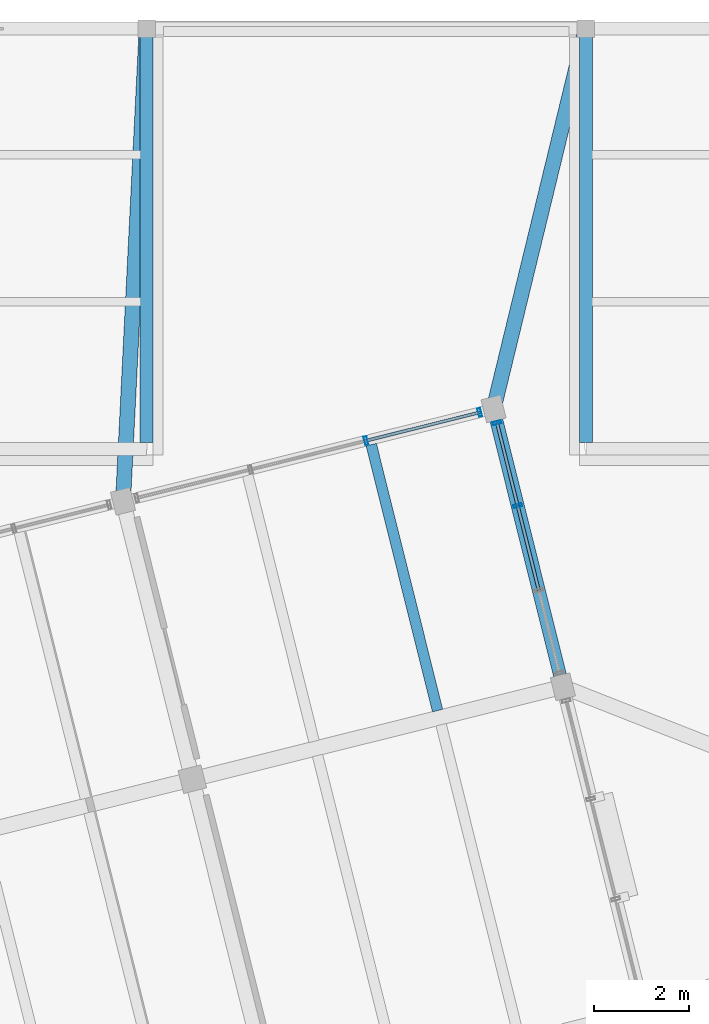
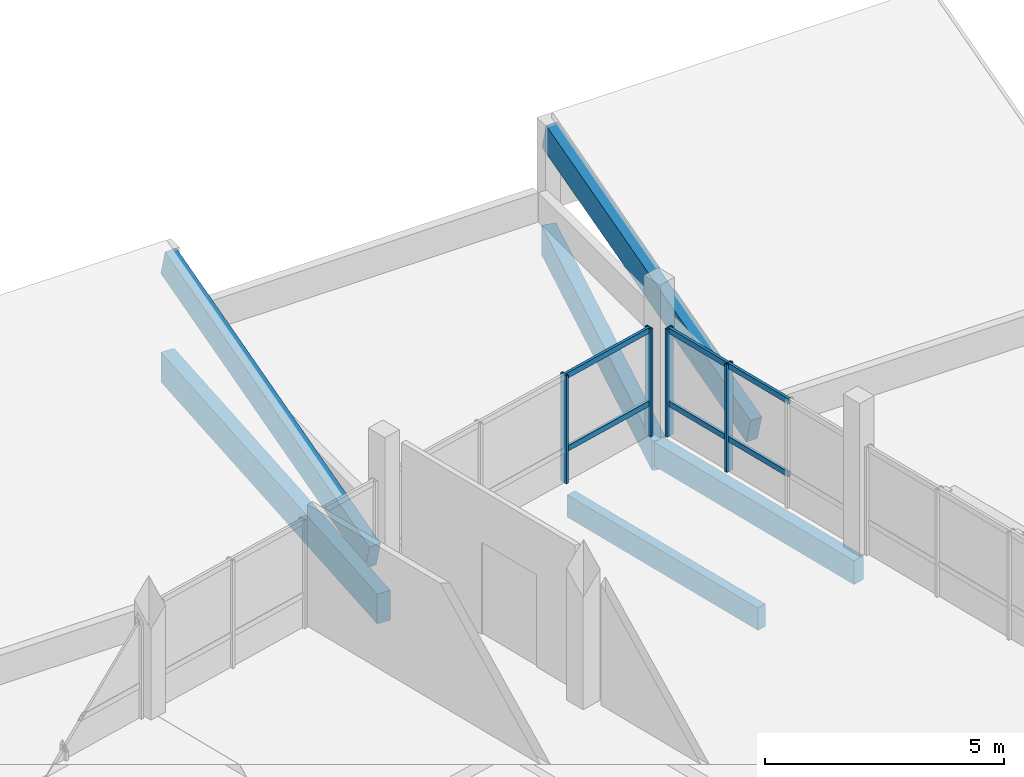
# One storey, part 30 of 37: 10 members, 6 beams, 2 elements without a shape of their own.
"""IFC4 building model written with IfcOpenShell, lengths in metres."""

import ifcopenshell
import ifcopenshell.guid

model = None  # the IFC model being written
_history = None  # IfcOwnerHistory: only IFC2X3 demands one
_inside = {}  # id of a spatial element -> (the spatial element, [elements in it])
_under = {}  # id of a project, library or spatial element -> (it, [spatial elements below it])
_declared = {}  # id of a project -> (the project, [libraries it declares])
_typed = {}  # id of a type object -> (the type object, [elements of that type])
_made_of = {}  # id of a material, layer set ... -> (it, [elements and type objects made of it])


def new_model(schema):
    """Start an empty IFC model of exactly this schema.

    Asked for "IFC4X3", IfcOpenShell would pick the latest addendum, in which some entities
    have other attributes; the version numbers below select the first issue.
    IFC2X3 requires an IfcOwnerHistory on every rooted entity: one is made here for all.
    """
    global model, _history
    if schema == "IFC4X3":
        model = ifcopenshell.file(schema_version=(4, 3, 0, 0))
    else:
        model = ifcopenshell.file(schema=schema)
    _inside.clear()
    _under.clear()
    _declared.clear()
    _typed.clear()
    _made_of.clear()
    _history = None
    if model.schema == "IFC2X3":
        org = make("IfcOrganization", Name="unknown")
        user = make(
            "IfcPersonAndOrganization",
            ThePerson=make("IfcPerson", FamilyName="unknown"),
            TheOrganization=org,
        )
        app = make(
            "IfcApplication",
            ApplicationDeveloper=org,
            Version="unknown",
            ApplicationFullName="unknown",
            ApplicationIdentifier="unknown",
        )
        _history = make(
            "IfcOwnerHistory",
            OwningUser=user,
            OwningApplication=app,
            ChangeAction="ADDED",
            CreationDate=0,
        )
    return model


def make(cls, **values):
    """One entity of the class cls with the attributes given. An attribute that is None is left unset."""
    return model.create_entity(
        cls, **{name: value for name, value in values.items() if value is not None}
    )


def rooted(cls, **values):
    """An entity with a GlobalId (a new one), such as an element, a storey or a relation."""
    return make(cls, GlobalId=ifcopenshell.guid.new(), OwnerHistory=_history, **values)


def si_unit(unit_type, name, prefix=None):
    """IfcSIUnit, for example si_unit("LENGTHUNIT", "METRE", prefix="MILLI")."""
    return make("IfcSIUnit", UnitType=unit_type, Prefix=prefix, Name=name)


def assignment(units):
    """IfcUnitAssignment: the units of a project."""
    return None if units is None else make("IfcUnitAssignment", Units=units)


def point(xyz):
    """IfcCartesianPoint."""
    return None if xyz is None else make("IfcCartesianPoint", Coordinates=xyz)


def direction(xyz):
    """IfcDirection."""
    return None if xyz is None else make("IfcDirection", DirectionRatios=xyz)


def frame(location, z_axis=None, x_axis=None):
    """IfcAxis2Placement3D, a coordinate frame: its origin and axes. An axis left out is left unset."""
    return make(
        "IfcAxis2Placement3D",
        Location=point(location),
        Axis=direction(z_axis),
        RefDirection=direction(x_axis),
    )


def frame_2d(location, x_axis=None):
    """IfcAxis2Placement2D, a coordinate frame in the plane: its origin and x axis."""
    return make(
        "IfcAxis2Placement2D", Location=point(location), RefDirection=direction(x_axis)
    )


def origin():
    """The frame at (0, 0, 0) with its axes left unset."""
    return frame((0.0, 0.0, 0.0))


def origin_2d():
    """The frame at (0, 0) in the plane with its x axis left unset."""
    return frame_2d((0.0, 0.0))


def place(relative_to, where):
    """IfcLocalPlacement: puts the frame where relative to a parent placement (None: the world)."""
    return make(
        "IfcLocalPlacement", PlacementRelTo=relative_to, RelativePlacement=where
    )


def context(
    kind, dimensions, precision=None, world=None, true_north=None, identifier=None
):
    """IfcGeometricRepresentationContext, for example the 3D "Model" context."""
    return make(
        "IfcGeometricRepresentationContext",
        ContextIdentifier=identifier,
        ContextType=kind,
        CoordinateSpaceDimension=dimensions,
        Precision=precision,
        WorldCoordinateSystem=world,
        TrueNorth=true_north,
    )


def subcontext(parent, identifier, kind, view, scale=None):
    """IfcGeometricRepresentationSubContext, for example "Body" below "Model"."""
    return make(
        "IfcGeometricRepresentationSubContext",
        ContextIdentifier=identifier,
        ContextType=kind,
        ParentContext=parent,
        TargetScale=scale,
        TargetView=view,
    )


def project(units=None, contexts=None):
    """IfcProject with its units and contexts."""
    return rooted(
        "IfcProject",
        Name="project",
        RepresentationContexts=contexts,
        UnitsInContext=assignment(units),
    )


def spatial(cls, under=None, at=None, **own):
    """A site, building, storey or space (cls), placed at a placement, below another one or the project."""
    s = rooted(cls, ObjectPlacement=at, **own)
    if under is not None:
        _under.setdefault(under.id(), (under, []))[1].append(s)
    return s


def profile(cls, at=None, kind="AREA", **sizes):
    """A parametric profile (cls). Its sizes go by their IFC names, for example OverallWidth=200.0."""
    return make(cls, ProfileType=kind, Position=at, **sizes)


def rectangle(**sizes):
    """IfcRectangleProfileDef."""
    return profile("IfcRectangleProfileDef", **sizes)


def hollow_rectangle(**sizes):
    """IfcRectangleHollowProfileDef."""
    return profile("IfcRectangleHollowProfileDef", **sizes)


def extrude(swept, where, along, depth):
    """IfcExtrudedAreaSolid: the profile swept, set in the frame where, extruded along a direction by depth."""
    return make(
        "IfcExtrudedAreaSolid",
        SweptArea=swept,
        Position=where,
        ExtrudedDirection=direction(along),
        Depth=depth,
    )


def shape(context_of_items, identifier, shape_type, items):
    """IfcShapeRepresentation: the items that make up one representation, for example the "Body"."""
    return make(
        "IfcShapeRepresentation",
        ContextOfItems=context_of_items,
        RepresentationIdentifier=identifier,
        RepresentationType=shape_type,
        Items=items,
    )


def material(Name=None, Category=None):
    """IfcMaterial."""
    return make("IfcMaterial", Name=Name, Category=Category)


def layer(
    of_material, thickness, ventilated=None, Name=None, Category=None, Priority=None
):
    """IfcMaterialLayer: one layer of a wall or slab, of a material (None: an air gap)."""
    return make(
        "IfcMaterialLayer",
        Material=of_material,
        LayerThickness=thickness,
        IsVentilated=ventilated,
        Name=Name,
        Category=Category,
        Priority=Priority,
    )


def layer_set(layers, Name=None):
    """IfcMaterialLayerSet."""
    return make("IfcMaterialLayerSet", MaterialLayers=layers, LayerSetName=Name)


def material_profile(
    of_material, cross_section, Name=None, Category=None, Priority=None
):
    """IfcMaterialProfile: a cross section and its material."""
    return make(
        "IfcMaterialProfile",
        Name=Name,
        Material=of_material,
        Profile=cross_section,
        Priority=Priority,
        Category=Category,
    )


def profile_set(profiles, Name=None, composite=None):
    """IfcMaterialProfileSet."""
    return make(
        "IfcMaterialProfileSet",
        Name=Name,
        MaterialProfiles=profiles,
        CompositeProfile=composite,
    )


def made_of(thing, what):
    """Note that an element or type object is made of a material, layer set ...; save() writes the relation."""
    if what is not None:
        _made_of.setdefault(what.id(), (what, []))[1].append(thing)
    return thing


def type_object(cls, material=None, **own):
    """A type object (cls), such as IfcWallType, which elements share."""
    return made_of(rooted(cls, **own), material)


def element(
    cls,
    number,
    at=None,
    inside=None,
    cuts=None,
    type_object=None,
    material=None,
    context=None,
    identifier="Body",
    shape_type=None,
    held_by="IfcProductDefinitionShape",
    body=None,
    shapes=None,
    **own,
):
    """One element of the class cls, such as IfcWall. Its Tag is "e" and its number.

    at: its placement. inside: the storey or other place that contains it. cuts: it is an
    opening in that element (IfcRelVoidsElement). A single representation is given by context,
    identifier, shape_type and body (its items); several are given by shapes. held_by: the class
    of the entity that holds the representations. save() writes the other relations.
    """
    e = rooted(cls, Tag="e%d" % number, ObjectPlacement=at, **own)
    if body is not None:
        shapes = [shape(context, identifier, shape_type, body)]
    if shapes is not None:
        e.Representation = make(held_by, Representations=shapes)
    if inside is not None:
        _inside.setdefault(inside.id(), (inside, []))[1].append(e)
    if cuts is not None:
        rooted(
            "IfcRelVoidsElement", RelatingBuildingElement=cuts, RelatedOpeningElement=e
        )
    if type_object is not None:
        _typed.setdefault(type_object.id(), (type_object, []))[1].append(e)
    return made_of(e, material)


def aggregate(whole, parts):
    """IfcRelAggregates: a whole, such as a stair, and the parts it consists of."""
    return rooted("IfcRelAggregates", RelatingObject=whole, RelatedObjects=parts)


def save(model, path):
    """Write the relations noted so far, then the file.

    IfcRelAggregates (storeys below a building ...), IfcRelContainedInSpatialStructure (elements
    in a storey), IfcRelDefinesByType, IfcRelAssociatesMaterial and IfcRelDeclares: one each for
    every whole, place, type object, material and project.
    """
    for whole, parts in _under.values():
        aggregate(whole, parts)
    for where, things in _inside.values():
        rooted(
            "IfcRelContainedInSpatialStructure",
            RelatedElements=things,
            RelatingStructure=where,
        )
    for kind, things in _typed.values():
        rooted("IfcRelDefinesByType", RelatedObjects=things, RelatingType=kind)
    for what, things in _made_of.values():
        rooted("IfcRelAssociatesMaterial", RelatedObjects=things, RelatingMaterial=what)
    for by, libraries in _declared.values():
        rooted("IfcRelDeclares", RelatingContext=by, RelatedDefinitions=libraries)
    model.write(path)


model = new_model("IFC4")

# Units and contexts
model_context = context("Model", 3, precision=1e-05, world=origin(), true_north=direction((0.0, 1.0)))
body_context = subcontext(model_context, "Body", "Model", "MODEL_VIEW")
ifc_project = project(units=[si_unit("LENGTHUNIT", "METRE"), si_unit("AREAUNIT", "SQUARE_METRE"), si_unit("VOLUMEUNIT", "CUBIC_METRE"), si_unit("PLANEANGLEUNIT", "RADIAN"), si_unit("MASSUNIT", "GRAM", prefix="KILO")], contexts=[model_context])

# Site, building, storey
site_placement = place(None, origin())
site = spatial("IfcSite", under=ifc_project, at=site_placement, CompositionType="ELEMENT")
building_placement = place(site_placement, origin())
building = spatial("IfcBuilding", under=site, at=building_placement, Name="Meriwether Solvik Hall", CompositionType="ELEMENT")
storey_placement = place(building_placement, frame((0.0, 0.0, 26.10009765625)))
storey = spatial("IfcBuildingStorey", under=building, at=storey_placement, Name="L06", CompositionType="ELEMENT", Elevation=26.10009765625)

# Beams
ifc_material_1 = material(Name="Glulam Douglas-Fir 24F-V8 GL28h", Category="wood")
ifc_material_profile_1 = material_profile(ifc_material_1, rectangle(XDim=0.27294921875, YDim=0.610107421875, at=origin_2d()), Name="GLB-273X610")
ifc_profile_set_1 = profile_set([ifc_material_profile_1], Name="Glulam Douglas-Fir 24F-V8 GL28h")
beam_type_1 = type_object("IfcBeamType", Name="BM-GL-273X610", PredefinedType="SPANDREL", material=ifc_profile_set_1)
beam_1_placement = place(storey_placement, frame((104.519287109375, 79.012939453125, -0.5751953125), z_axis=(-0.241941986192, 0.970290716908, 0.0), x_axis=(-0.970290716908, -0.241941986192, 0.0)))
element("IfcBeam", 1, at=beam_1_placement, inside=storey, type_object=beam_type_1, Name="Tower Girder T7:TE-TF (L06)", PredefinedType="SPANDREL", context=body_context, shape_type="SweptSolid", body=[
    extrude(rectangle(XDim=0.27294921875, YDim=0.610107421875, at=origin_2d()), origin(), (0.0, 0.0, 1.0), 6.0),
])
ifc_material_2 = material(Name="Glulam Douglas-Fir 24F-V8 GL28h", Category="wood")
ifc_material_profile_2 = material_profile(ifc_material_2, rectangle(XDim=0.27294921875, YDim=0.68505859375, at=origin_2d()), Name="GLB-273X685")
ifc_profile_set_2 = profile_set([ifc_material_profile_2], Name="Glulam Douglas-Fir 24F-V8 GL28h")
beam_type_2 = type_object("IfcBeamType", Name="BM-GL-273X685", PredefinedType="BEAM", material=ifc_profile_set_2)
for number, where, z_axis, x_axis, name in (
    (2, (95.800048828125, 84.21875, -0.31396484375), (0.0, 0.964211732223, 0.265133429511), (-1.0, 0.0, 0.0), "Raking Glulam Roof Rafter w4b_north_w-11 (L06)"),
    (3, (105.0, 84.21875, -0.31396484375), (0.0, 0.964211732223, 0.265133429511), (-1.0, 0.0, 0.0), "Raking Glulam Roof Rafter w4b_north_e-12 (L06)"),
):
    element("IfcBeam", number, at=place(storey_placement, frame(where, z_axis=z_axis, x_axis=x_axis)), inside=storey, type_object=beam_type_2, Name=name, PredefinedType="BEAM", context=body_context, shape_type="SweptSolid", body=[
        extrude(rectangle(XDim=0.27294921875, YDim=0.68505859375, at=origin_2d()), origin(), (0.0, 0.0, 1.0), 8.861083984375),
    ])
ifc_material_3 = material(Name="Glulam Douglas-Fir 24F-V8 GL28h", Category="wood")
ifc_material_profile_3 = material_profile(ifc_material_3, rectangle(XDim=0.31494140625, YDim=0.760009765625, at=origin_2d()), Name="GLB-315X760")
ifc_profile_set_3 = profile_set([ifc_material_profile_3], Name="Glulam Douglas-Fir 24F-V8 GL28h")
beam_type_3 = type_object("IfcBeamType", Name="BM-GL-315X760", PredefinedType="BEAM", material=ifc_profile_set_3)
beam_2_placement = place(storey_placement, frame((95.305419921875, 82.899169921875, -0.650146484375), z_axis=(0.049895854105, 0.998754426144, 0.0), x_axis=(-0.998754426144, 0.049895854105, 0.0)))
element("IfcBeam", 4, at=beam_2_placement, inside=storey, type_object=beam_type_3, Name="Diaphragm Collector Girder T6/TF-11/K (L06)", PredefinedType="BEAM", context=body_context, shape_type="SweptSolid", body=[
    extrude(rectangle(XDim=0.31494140625, YDim=0.760009765625, at=origin_2d()), origin(), (0.0, 0.0, 1.0), 9.913330078125),
])
beam_3_placement = place(storey_placement, frame((103.067626953125, 84.834716796875, -0.650146484375), z_axis=(0.235759443043, 0.971811445197, 0.0), x_axis=(-0.971811445197, 0.235759443043, 0.0)))
element("IfcBeam", 5, at=beam_3_placement, inside=storey, type_object=beam_type_3, Name="Diaphragm Collector Girder T7/TF-12/K (L06)", PredefinedType="BEAM", context=body_context, shape_type="SweptSolid", body=[
    extrude(rectangle(XDim=0.31494140625, YDim=0.760009765625, at=origin_2d()), origin(), (0.0, 0.0, 1.0), 8.1962890625),
])

# Curtain wall, members
ifc_material_4 = material(Name="Thermally Broken Anodised Aluminium 6063-T6 and Low-E Glass", Category="aluminium")
ifc_layer_1 = layer(ifc_material_4, 0.179931640625)
ifc_layer_set_1 = layer_set([ifc_layer_1], Name="Thermally Broken Anodised Aluminium 6063-T6 and Low-E Glass")
curtain_wall_type_1 = type_object("IfcCurtainWallType", Name="CW-UNIT-B", PredefinedType="USERDEFINED", material=ifc_layer_set_1)
curtain_wall_1_placement = place(storey_placement, origin())
curtain_wall_1 = element("IfcCurtainWall", 6, at=curtain_wall_1_placement, inside=storey, type_object=curtain_wall_type_1, Name="Curtain Wall E3_B2 (L06)", ObjectType="UNITISED CURTAIN WALL", PredefinedType="USERDEFINED")
ifc_material_5 = material(Name="Anodised Aluminium 6063-T6", Category="aluminium")
ifc_material_profile_4 = material_profile(ifc_material_5, hollow_rectangle(XDim=0.06494140625, YDim=0.179931640625, WallThickness=0.00439453125, at=origin_2d()), Name="CWM-65X180")
ifc_profile_set_4 = profile_set([ifc_material_profile_4], Name="Anodised Aluminium 6063-T6")
member_type_1 = type_object("IfcMemberType", Name="CW-MUL-65X180", PredefinedType="MULLION", material=ifc_profile_set_4)
member_1_placement = place(storey_placement, frame((103.1396484375, 84.5458984375, 0.0), z_axis=(0.0, 0.0, 1.0), x_axis=(0.241921905778, -0.970295723738, 0.0)))
member_1 = element("IfcMember", 7, at=member_1_placement, type_object=member_type_1, Name="Curtain Wall Mullion 1", PredefinedType="MULLION", context=body_context, shape_type="SweptSolid", body=[
    extrude(hollow_rectangle(XDim=0.06494140625, YDim=0.179931640625, WallThickness=0.00439453125, at=origin_2d()), origin(), (0.0, 0.0, 1.0), 2.75),
])
member_2_placement = place(storey_placement, frame((103.572509765625, 82.81005859375, 0.0), z_axis=(0.0, 0.0, 1.0), x_axis=(0.241921905778, -0.970295723738, 0.0)))
member_2 = element("IfcMember", 8, at=member_2_placement, type_object=member_type_1, Name="Curtain Wall Mullion 2", PredefinedType="MULLION", context=body_context, shape_type="SweptSolid", body=[
    extrude(hollow_rectangle(XDim=0.06494140625, YDim=0.179931640625, WallThickness=0.00439453125, at=origin_2d()), origin(), (0.0, 0.0, 1.0), 2.75),
])

ifc_material_6 = material(Name="Thermally Broken Anodised Aluminium 6063-T6 and Low-E Glass", Category="aluminium")
ifc_layer_2 = layer(ifc_material_6, 0.179931640625)
ifc_layer_set_2 = layer_set([ifc_layer_2], Name="Thermally Broken Anodised Aluminium 6063-T6 and Low-E Glass")
curtain_wall_type_2 = type_object("IfcCurtainWallType", Name="CW-UNIT-F", PredefinedType="USERDEFINED", material=ifc_layer_set_2)
curtain_wall_2_placement = place(storey_placement, origin())
curtain_wall_2 = element("IfcCurtainWall", 9, at=curtain_wall_2_placement, inside=storey, type_object=curtain_wall_type_2, Name="Curtain Wall E4_B5 (L06)", ObjectType="UNITISED CURTAIN WALL", PredefinedType="USERDEFINED")
member_3_placement = place(storey_placement, frame((100.396240234375, 84.16845703125, 0.0), z_axis=(0.0, 0.0, 1.0), x_axis=(0.970295753527, 0.241921786302, 0.0)))
member_3 = element("IfcMember", 10, at=member_3_placement, type_object=member_type_1, Name="Curtain Wall Mullion 3", PredefinedType="MULLION", context=body_context, shape_type="SweptSolid", body=[
    extrude(hollow_rectangle(XDim=0.06494140625, YDim=0.179931640625, WallThickness=0.00439453125, at=origin_2d()), origin(), (0.0, 0.0, 1.0), 2.75),
])
member_4_placement = place(storey_placement, frame((102.779052734375, 84.7626953125, 0.0), z_axis=(0.0, 0.0, 1.0), x_axis=(0.970295753527, 0.241921786302, 0.0)))
member_4 = element("IfcMember", 11, at=member_4_placement, type_object=member_type_1, Name="Curtain Wall Mullion 4", PredefinedType="MULLION", context=body_context, shape_type="SweptSolid", body=[
    extrude(hollow_rectangle(XDim=0.06494140625, YDim=0.179931640625, WallThickness=0.00439453125, at=origin_2d()), origin(), (0.0, 0.0, 1.0), 2.75),
])

# Member
ifc_material_7 = material(Name="Anodised Aluminium 6063-T6", Category="aluminium")
ifc_material_profile_5 = material_profile(ifc_material_7, hollow_rectangle(XDim=0.06494140625, YDim=0.139892578125, WallThickness=0.00439453125, at=origin_2d()), Name="CWT-65X140")
ifc_profile_set_5 = profile_set([ifc_material_profile_5], Name="Anodised Aluminium 6063-T6")
member_type_2 = type_object("IfcMemberType", Name="CW-TRN-65X140", PredefinedType="USERDEFINED", material=ifc_profile_set_5)
member_5_placement = place(storey_placement, frame((103.1396484375, 84.5458984375, 0.824951171875), z_axis=(0.241957600267, -0.970286823405, 0.0), x_axis=(0.970286823405, 0.241957600267, 0.0)))
member_5 = element("IfcMember", 12, at=member_5_placement, type_object=member_type_2, Name="Curtain Wall Transom 1-sill", ObjectType="TRANSOM", PredefinedType="USERDEFINED", context=body_context, shape_type="SweptSolid", body=[
    extrude(hollow_rectangle(XDim=0.06494140625, YDim=0.139892578125, WallThickness=0.00439453125, at=origin_2d()), origin(), (0.0, 0.0, 1.0), 1.7890625),
])

member_6_placement = place(storey_placement, frame((103.1396484375, 84.5458984375, 2.68994140625), z_axis=(0.241957600267, -0.970286823405, 0.0), x_axis=(0.970286823405, 0.241957600267, 0.0)))
member_6 = element("IfcMember", 13, at=member_6_placement, type_object=member_type_2, Name="Curtain Wall Transom 1-head", ObjectType="TRANSOM", PredefinedType="USERDEFINED", context=body_context, shape_type="SweptSolid", body=[
    extrude(hollow_rectangle(XDim=0.06494140625, YDim=0.139892578125, WallThickness=0.00439453125, at=origin_2d()), origin(), (0.0, 0.0, 1.0), 1.7890625),
])

member_7_placement = place(storey_placement, frame((103.572509765625, 82.81005859375, 0.824951171875), z_axis=(0.241875265891, -0.970307351178, 0.0), x_axis=(0.970307351178, 0.241875265891, 0.0)))
member_7 = element("IfcMember", 14, at=member_7_placement, type_object=member_type_2, Name="Curtain Wall Transom 2-sill", ObjectType="TRANSOM", PredefinedType="USERDEFINED", context=body_context, shape_type="SweptSolid", body=[
    extrude(hollow_rectangle(XDim=0.06494140625, YDim=0.139892578125, WallThickness=0.00439453125, at=origin_2d()), origin(), (0.0, 0.0, 1.0), 1.826904296875),
])

member_8_placement = place(storey_placement, frame((103.572509765625, 82.81005859375, 2.68994140625), z_axis=(0.241875265891, -0.970307351178, 0.0), x_axis=(0.970307351178, 0.241875265891, 0.0)))
member_8 = element("IfcMember", 15, at=member_8_placement, type_object=member_type_2, Name="Curtain Wall Transom 2-head", ObjectType="TRANSOM", PredefinedType="USERDEFINED", context=body_context, shape_type="SweptSolid", body=[
    extrude(hollow_rectangle(XDim=0.06494140625, YDim=0.139892578125, WallThickness=0.00439453125, at=origin_2d()), origin(), (0.0, 0.0, 1.0), 1.826904296875),
])

aggregate(curtain_wall_1, [member_1, member_2, member_5, member_6, member_7, member_8])

member_9_placement = place(storey_placement, frame((100.396240234375, 84.16845703125, 0.824951171875), z_axis=(0.970282687184, 0.241974186538, 0.0), x_axis=(-0.241974186538, 0.970282687184, 0.0)))
member_9 = element("IfcMember", 16, at=member_9_placement, type_object=member_type_2, Name="Curtain Wall Transom 3-sill", ObjectType="TRANSOM", PredefinedType="USERDEFINED", context=body_context, shape_type="SweptSolid", body=[
    extrude(hollow_rectangle(XDim=0.06494140625, YDim=0.139892578125, WallThickness=0.00439453125, at=origin_2d()), origin(), (0.0, 0.0, 1.0), 2.455810546875),
])

member_10_placement = place(storey_placement, frame((100.396240234375, 84.16845703125, 2.68994140625), z_axis=(0.970282687184, 0.241974186538, 0.0), x_axis=(-0.241974186538, 0.970282687184, 0.0)))
member_10 = element("IfcMember", 17, at=member_10_placement, type_object=member_type_2, Name="Curtain Wall Transom 3-head", ObjectType="TRANSOM", PredefinedType="USERDEFINED", context=body_context, shape_type="SweptSolid", body=[
    extrude(hollow_rectangle(XDim=0.06494140625, YDim=0.139892578125, WallThickness=0.00439453125, at=origin_2d()), origin(), (0.0, 0.0, 1.0), 2.455810546875),
])

aggregate(curtain_wall_2, [member_3, member_4, member_9, member_10])

# Beam
ifc_material_8 = material(Name="Glulam Douglas-Fir 24F-V8 GL28h", Category="wood")
ifc_material_profile_6 = material_profile(ifc_material_8, rectangle(XDim=0.221923828125, YDim=0.570068359375, at=origin_2d()), Name="GLJ-222X570")
ifc_profile_set_6 = profile_set([ifc_material_profile_6], Name="Glulam Douglas-Fir 24F-V8 GL28h")
beam_type_4 = type_object("IfcBeamType", Name="JST-GL-222X570", PredefinedType="JOIST", material=ifc_profile_set_6)
beam_4_placement = place(storey_placement, frame((101.894775390625, 78.515625, -0.55517578125), z_axis=(-0.241905253991, 0.970299875343, 0.0), x_axis=(-0.970299875343, -0.241905253991, 0.0)))
element("IfcBeam", 18, at=beam_4_placement, inside=storey, type_object=beam_type_4, Name="Glulam Floor Joist T6/TE-J2 (L06)", PredefinedType="JOIST", context=body_context, shape_type="SweptSolid", body=[
    extrude(rectangle(XDim=0.221923828125, YDim=0.570068359375, at=origin_2d()), origin(), (0.0, 0.0, 1.0), 5.741455078125),
])

save(model, "model.ifc")
